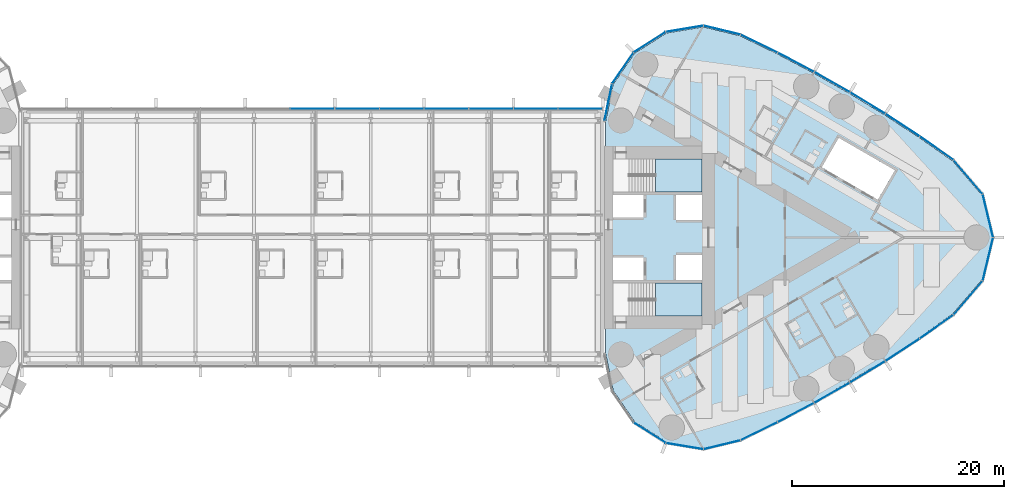
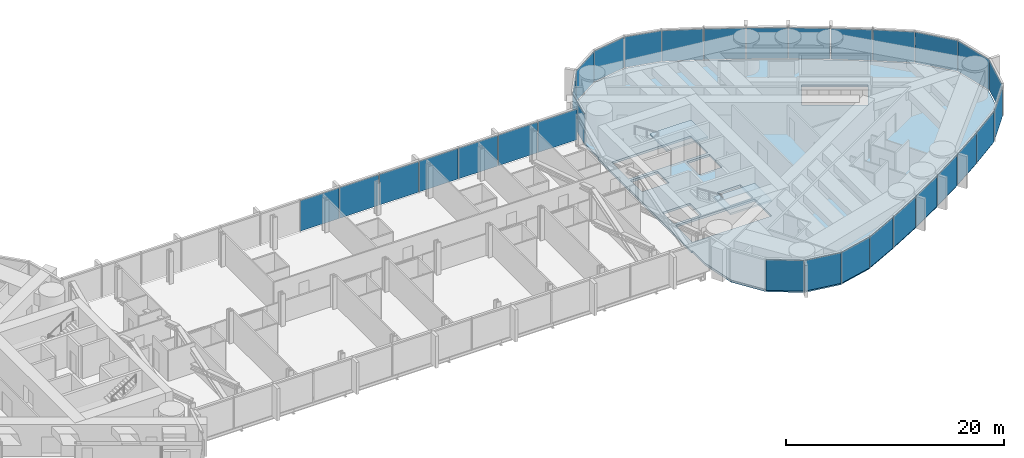
# One storey, part 14 of 24: 31 plates, 3 slabs, 4 elements without a shape of their own.
"""IFC4 building model written with IfcOpenShell, lengths in metres."""

from ifc_helpers import new_model, si_unit, direction, frame, origin, origin_2d, place, context, subcontext, project, spatial, polyline, rectangle, outline, extrude, material, layer, layer_set, type_object, element, aggregate, save


model = new_model("IFC4")

# Units and contexts
model_context = context("Model", 3, precision=1e-05, world=origin(), true_north=direction((0.0, 1.0)))
body_context = subcontext(model_context, "Body", "Model", "MODEL_VIEW")
ifc_project = project(units=[si_unit("LENGTHUNIT", "METRE"), si_unit("AREAUNIT", "SQUARE_METRE"), si_unit("VOLUMEUNIT", "CUBIC_METRE"), si_unit("PLANEANGLEUNIT", "RADIAN"), si_unit("MASSUNIT", "GRAM", prefix="KILO")], contexts=[model_context])

# Site, building, storey
site_placement = place(None, origin())
site = spatial("IfcSite", under=ifc_project, at=site_placement, CompositionType="ELEMENT")
building_placement = place(site_placement, origin())
building = spatial("IfcBuilding", under=site, at=building_placement, Name="Lancet Gate Hotel", CompositionType="ELEMENT")
storey_placement = place(building_placement, frame((0.0, 0.0, 244.10009765625)))
storey = spatial("IfcBuildingStorey", under=building, at=storey_placement, Name="L65", CompositionType="ELEMENT", Elevation=244.10009765625)

# Curtain wall, plates
ifc_material_1 = material(Name="Aluminium curtain wall", Category="aluminium")
curtain_wall_type_1 = type_object("IfcCurtainWallType", Name="Bridge block curtain wall", PredefinedType="USERDEFINED", material=ifc_material_1)
curtain_wall_1_placement = place(storey_placement, origin())
curtain_wall_1 = element("IfcCurtainWall", 1, at=curtain_wall_1_placement, inside=storey, type_object=curtain_wall_type_1, Name="Bridge block L65 curtain wall N", ObjectType="UNITISED CURTAIN WALL", PredefinedType="USERDEFINED")
ifc_material_2 = material(Name="Glass double glazed unit 8-16-6", Category="glass")
ifc_layer_1 = layer(ifc_material_2, 0.030029296875)
ifc_layer_set_1 = layer_set([ifc_layer_1], Name="Block vision panel")
plate_type_1 = type_object("IfcPlateType", Name="Block vision panel", PredefinedType="CURTAIN_PANEL", material=ifc_layer_set_1)
plate_1_placement = place(storey_placement, frame((25.24609375, 12.1201171875, 0.0), z_axis=(0.0, 0.0, 1.0), x_axis=(-1.0, 0.0, 0.0)))
plate_1 = element("IfcPlate", 2, at=plate_1_placement, type_object=plate_type_1, Name="Bridge block L65 curtain wall N panel 1", PredefinedType="CURTAIN_PANEL", context=body_context, shape_type="SweptSolid", body=[
    extrude(rectangle(XDim=4.142578125, YDim=0.030029296875, at=origin_2d()), origin(), (0.0, 0.0, 1.0), 3.449951171875),
])
plate_2_placement = place(storey_placement, frame((21.03857421875, 12.1201171875, 0.0), z_axis=(0.0, 0.0, 1.0), x_axis=(-1.0, 0.0, 0.0)))
plate_2 = element("IfcPlate", 3, at=plate_2_placement, type_object=plate_type_1, Name="Bridge block L65 curtain wall N panel 2", PredefinedType="CURTAIN_PANEL", context=body_context, shape_type="SweptSolid", body=[
    extrude(rectangle(XDim=4.142578125, YDim=0.030029296875, at=origin_2d()), origin(), (0.0, 0.0, 1.0), 3.449951171875),
])
plate_3_placement = place(storey_placement, frame((16.830810546875, 12.1201171875, 0.0), z_axis=(0.0, 0.0, 1.0), x_axis=(-1.0, 0.0, 0.0)))
plate_3 = element("IfcPlate", 4, at=plate_3_placement, type_object=plate_type_1, Name="Bridge block L65 curtain wall N panel 3", PredefinedType="CURTAIN_PANEL", context=body_context, shape_type="SweptSolid", body=[
    extrude(rectangle(XDim=4.142578125, YDim=0.030029296875, at=origin_2d()), origin(), (0.0, 0.0, 1.0), 3.449951171875),
])
plate_4_placement = place(storey_placement, frame((12.623046875, 12.1201171875, 0.0), z_axis=(0.0, 0.0, 1.0), x_axis=(-1.0, 0.0, 0.0)))
plate_4 = element("IfcPlate", 5, at=plate_4_placement, type_object=plate_type_1, Name="Bridge block L65 curtain wall N panel 4", PredefinedType="CURTAIN_PANEL", context=body_context, shape_type="SweptSolid", body=[
    extrude(rectangle(XDim=4.142578125, YDim=0.030029296875, at=origin_2d()), origin(), (0.0, 0.0, 1.0), 3.449951171875),
])
plate_5_placement = place(storey_placement, frame((8.415283203125, 12.1201171875, 0.0), z_axis=(0.0, 0.0, 1.0), x_axis=(-1.0, 0.0, 0.0)))
plate_5 = element("IfcPlate", 6, at=plate_5_placement, type_object=plate_type_1, Name="Bridge block L65 curtain wall N panel 5", PredefinedType="CURTAIN_PANEL", context=body_context, shape_type="SweptSolid", body=[
    extrude(rectangle(XDim=4.142578125, YDim=0.030029296875, at=origin_2d()), origin(), (0.0, 0.0, 1.0), 3.449951171875),
])
plate_6_placement = place(storey_placement, frame((4.207763671875, 12.1201171875, 0.0), z_axis=(0.0, 0.0, 1.0), x_axis=(-1.0, 0.0, 0.0)))
plate_6 = element("IfcPlate", 7, at=plate_6_placement, type_object=plate_type_1, Name="Bridge block L65 curtain wall N panel 6", PredefinedType="CURTAIN_PANEL", context=body_context, shape_type="SweptSolid", body=[
    extrude(rectangle(XDim=4.142578125, YDim=0.030029296875, at=origin_2d()), origin(), (0.0, 0.0, 1.0), 3.449951171875),
])
plate_7_placement = place(storey_placement, frame((0.0, 12.1201171875, 0.0), z_axis=(0.0, 0.0, 1.0), x_axis=(-1.0, 0.0, 0.0)))
plate_7 = element("IfcPlate", 8, at=plate_7_placement, type_object=plate_type_1, Name="Bridge block L65 curtain wall N panel 7", PredefinedType="CURTAIN_PANEL", context=body_context, shape_type="SweptSolid", body=[
    extrude(rectangle(XDim=4.142578125, YDim=0.030029296875, at=origin_2d()), origin(), (0.0, 0.0, 1.0), 3.449951171875),
])
aggregate(curtain_wall_1, [plate_1, plate_2, plate_3, plate_4, plate_5, plate_6, plate_7])

# Slab
ifc_material_3 = material(Name="Concrete C50/60", Category="concrete")
ifc_layer_2 = layer(ifc_material_3, 0.25)
ifc_layer_set_2 = layer_set([ifc_layer_2], Name="Floor slab 250")
slab_type_1 = type_object("IfcSlabType", Name="Floor slab 250", PredefinedType="FLOOR", material=ifc_layer_set_2)
slab_1_placement = place(storey_placement, frame((0.0, 0.0, -0.25)))
element("IfcSlab", 9, at=slab_1_placement, inside=storey, type_object=slab_type_1, Name="T2 L65 floor slab", PredefinedType="FLOOR", context=body_context, shape_type="SweptSolid", body=[
    extrude(outline(polyline([(27.5, -8.60009765625), (27.6201171875, -8.60009765625), (27.6201171875, -10.93603515625), (28.329345703125, -14.419677734375), (30.33740234375, -17.338134765625), (33.326904296875, -19.2392578125), (36.82177734375, -19.81982421875), (40.2763671875, -18.98486328125), (43.753662109375, -17.2890625), (47.18603515625, -15.47998046875), (50.5595703125, -13.56396484375), (53.87158203125, -11.54296875), (57.118408203125, -9.4189453125), (60.2861328125, -7.20166015625), (62.99658203125, -4.03759765625), (63.968017578125, 0.0), (62.99658203125, 4.03759765625), (60.2861328125, 7.20166015625), (57.118408203125, 9.4189453125), (53.87158203125, 11.54296875), (50.5595703125, 13.56396484375), (47.18603515625, 15.47998046875), (43.753662109375, 17.2890625), (40.2763671875, 18.98486328125), (36.82177734375, 19.81982421875), (33.326904296875, 19.2392578125), (30.33740234375, 17.338134765625), (28.329345703125, 14.419677734375), (27.6201171875, 10.93603515625), (27.6201171875, 8.60009765625), (27.5, 8.60009765625), (27.5, 8.199951171875), (27.5, -8.199951171875), (27.5, -8.60009765625)]), holes=[polyline([(36.699951171875, -7.39990234375), (36.699951171875, -4.300048828125), (28.300048828125, -4.300048828125), (28.300048828125, -7.39990234375), (36.699951171875, -7.39990234375)]), polyline([(28.300048828125, -4.0), (31.199951171875, -4.0), (31.199951171875, -1.89990234375), (28.300048828125, -1.89990234375), (28.300048828125, -4.0)]), polyline([(34.25, -4.0), (36.699951171875, -4.0), (36.699951171875, -1.64990234375), (34.25, -1.64990234375), (34.25, -4.0)]), polyline([(36.699951171875, 1.64990234375), (36.699951171875, 4.0), (34.25, 4.0), (34.25, 1.64990234375), (36.699951171875, 1.64990234375)]), polyline([(28.300048828125, 1.89990234375), (31.199951171875, 1.89990234375), (31.199951171875, 4.0), (28.300048828125, 4.0), (28.300048828125, 1.89990234375)]), polyline([(28.300048828125, 4.300048828125), (36.699951171875, 4.300048828125), (36.699951171875, 7.39990234375), (28.300048828125, 7.39990234375), (28.300048828125, 4.300048828125)]), polyline([(53.242919921875, 3.555908203125), (54.843017578125, 6.326904296875), (49.56103515625, 9.376953125), (47.9609375, 6.60595703125), (53.242919921875, 3.555908203125)])]), origin(), (0.0, 0.0, 1.0), 0.25),
])

# Stair, slab
ifc_material_4 = material(Name="Exit stair 20 risers 1500")
stair_type = type_object("IfcStairType", Name="Exit stair 20 risers 1500", PredefinedType="HALF_TURN_STAIR", material=ifc_material_4)
stair_1_placement = place(storey_placement, origin())
stair_1 = element("IfcStair", 10, at=stair_1_placement, inside=storey, type_object=stair_type, Name="T2 stair 1 L65", PredefinedType="HALF_TURN_STAIR")
ifc_material_5 = material(Name="Concrete C40/50", Category="concrete")
ifc_layer_3 = layer(ifc_material_5, 0.199951171875)
ifc_layer_set_3 = layer_set([ifc_layer_3], Name="Stair landing 200")
slab_type_2 = type_object("IfcSlabType", Name="Stair landing 200", PredefinedType="LANDING", material=ifc_layer_set_3)
slab_2_placement = place(storey_placement, frame((0.0, 0.0, 1.599853515625)))
slab_2 = element("IfcSlab", 11, at=slab_2_placement, type_object=slab_type_2, Name="ST3 landing 2", PredefinedType="LANDING", context=body_context, shape_type="SweptSolid", body=[
    extrude(outline(polyline([(32.320068359375, -7.39990234375), (36.699951171875, -7.39990234375), (36.699951171875, -4.300048828125), (32.320068359375, -4.300048828125), (32.320068359375, -7.39990234375)])), origin(), (0.0, 0.0, 1.0), 0.199951171875),
])
aggregate(stair_1, [slab_2])

stair_2_placement = place(storey_placement, origin())
stair_2 = element("IfcStair", 12, at=stair_2_placement, inside=storey, type_object=stair_type, Name="T2 stair 2 L65", PredefinedType="HALF_TURN_STAIR")
slab_3_placement = place(storey_placement, frame((0.0, 0.0, 1.599853515625)))
slab_3 = element("IfcSlab", 13, at=slab_3_placement, type_object=slab_type_2, Name="ST4 landing 2", PredefinedType="LANDING", context=body_context, shape_type="SweptSolid", body=[
    extrude(outline(polyline([(32.320068359375, 4.300048828125), (36.699951171875, 4.300048828125), (36.699951171875, 7.39990234375), (32.320068359375, 7.39990234375), (32.320068359375, 4.300048828125)])), origin(), (0.0, 0.0, 1.0), 0.199951171875),
])
aggregate(stair_2, [slab_3])

# Curtain wall, plates
ifc_material_6 = material(Name="Aluminium curtain wall", Category="aluminium")
curtain_wall_type_2 = type_object("IfcCurtainWallType", Name="Tower unitised curtain wall", PredefinedType="USERDEFINED", material=ifc_material_6)
curtain_wall_2_placement = place(storey_placement, origin())
curtain_wall_2 = element("IfcCurtainWall", 14, at=curtain_wall_2_placement, inside=storey, type_object=curtain_wall_type_2, Name="T2 L65 curtain wall 1", ObjectType="UNITISED CURTAIN WALL", PredefinedType="USERDEFINED")
ifc_material_7 = material(Name="Glass double glazed unit 8-16-6", Category="glass")
ifc_layer_4 = layer(ifc_material_7, 0.030029296875)
ifc_layer_set_4 = layer_set([ifc_layer_4], Name="Vision panel double glazed")
plate_type_2 = type_object("IfcPlateType", Name="Vision panel double glazed", PredefinedType="CURTAIN_PANEL", material=ifc_layer_set_4)
plate_8_placement = place(storey_placement, frame((31.767822265625, -18.389892578125, 0.0), z_axis=(0.0, 0.0, 1.0), x_axis=(0.843845020422, -0.536586974785, 0.0)))
plate_8 = element("IfcPlate", 15, at=plate_8_placement, type_object=plate_type_2, Name="T2 L65 curtain wall 1 panel 3", PredefinedType="CURTAIN_PANEL", context=body_context, shape_type="SweptSolid", body=[
    extrude(rectangle(XDim=3.526611328125, YDim=0.030029296875, at=origin_2d()), origin(), (0.0, 0.0, 1.0), 3.449951171875),
])
plate_9_placement = place(storey_placement, frame((35.0546875, -19.64794921875, 0.0), z_axis=(0.0, 0.0, 1.0), x_axis=(0.986480101775, -0.163881081283, 0.0)))
plate_9 = element("IfcPlate", 16, at=plate_9_placement, type_object=plate_type_2, Name="T2 L65 curtain wall 1 panel 4", PredefinedType="CURTAIN_PANEL", context=body_context, shape_type="SweptSolid", body=[
    extrude(rectangle(XDim=3.526611328125, YDim=0.030029296875, at=origin_2d()), origin(), (0.0, 0.0, 1.0), 3.449951171875),
])
plate_10_placement = place(storey_placement, frame((38.57177734375, -19.520263671875, 0.0), z_axis=(0.0, 0.0, 1.0), x_axis=(0.972013837597, 0.234923603582, 0.0)))
plate_10 = element("IfcPlate", 17, at=plate_10_placement, type_object=plate_type_2, Name="T2 L65 curtain wall 1 panel 5", PredefinedType="CURTAIN_PANEL", context=body_context, shape_type="SweptSolid", body=[
    extrude(rectangle(XDim=3.526611328125, YDim=0.030029296875, at=origin_2d()), origin(), (0.0, 0.0, 1.0), 3.449951171875),
])
plate_11_placement = place(storey_placement, frame((42.062744140625, -18.247314453125, 0.0), z_axis=(0.0, 0.0, 1.0), x_axis=(0.898823462202, 0.438310830114, 0.0)))
plate_11 = element("IfcPlate", 18, at=plate_11_placement, type_object=plate_type_2, Name="T2 L65 curtain wall 1 panel 6", PredefinedType="CURTAIN_PANEL", context=body_context, shape_type="SweptSolid", body=[
    extrude(rectangle(XDim=3.818603515625, YDim=0.030029296875, at=origin_2d()), origin(), (0.0, 0.0, 1.0), 3.449951171875),
])
plate_12_placement = place(storey_placement, frame((45.52587890625, -16.49072265625, 0.0), z_axis=(0.0, 0.0, 1.0), x_axis=(0.884622760861, 0.466307378204, 0.0)))
plate_12 = element("IfcPlate", 19, at=plate_12_placement, type_object=plate_type_2, Name="T2 L65 curtain wall 1 panel 7", PredefinedType="CURTAIN_PANEL", context=body_context, shape_type="SweptSolid", body=[
    extrude(rectangle(XDim=3.818603515625, YDim=0.030029296875, at=origin_2d()), origin(), (0.0, 0.0, 1.0), 3.449951171875),
])
plate_13_placement = place(storey_placement, frame((48.93212890625, -14.626220703125, 0.0), z_axis=(0.0, 0.0, 1.0), x_axis=(0.869550293306, 0.493844395951, 0.0)))
plate_13 = element("IfcPlate", 20, at=plate_13_placement, type_object=plate_type_2, Name="T2 L65 curtain wall 1 panel 8", PredefinedType="CURTAIN_PANEL", context=body_context, shape_type="SweptSolid", body=[
    extrude(rectangle(XDim=3.818603515625, YDim=0.030029296875, at=origin_2d()), origin(), (0.0, 0.0, 1.0), 3.449951171875),
])
plate_14_placement = place(storey_placement, frame((52.278076171875, -12.65576171875, 0.0), z_axis=(0.0, 0.0, 1.0), x_axis=(0.853620912967, 0.520894746513, 0.0)))
plate_14 = element("IfcPlate", 21, at=plate_14_placement, type_object=plate_type_2, Name="T2 L65 curtain wall 1 panel 9", PredefinedType="CURTAIN_PANEL", context=body_context, shape_type="SweptSolid", body=[
    extrude(rectangle(XDim=3.818603515625, YDim=0.030029296875, at=origin_2d()), origin(), (0.0, 0.0, 1.0), 3.449951171875),
])
plate_15_placement = place(storey_placement, frame((55.560791015625, -10.581298828125, 0.0), z_axis=(0.0, 0.0, 1.0), x_axis=(0.83685031771, 0.547431772688, 0.0)))
plate_15 = element("IfcPlate", 22, at=plate_15_placement, type_object=plate_type_2, Name="T2 L65 curtain wall 1 panel 10", PredefinedType="CURTAIN_PANEL", context=body_context, shape_type="SweptSolid", body=[
    extrude(rectangle(XDim=3.818603515625, YDim=0.030029296875, at=origin_2d()), origin(), (0.0, 0.0, 1.0), 3.449951171875),
])
plate_16_placement = place(storey_placement, frame((58.776611328125, -8.40478515625, 0.0), z_axis=(0.0, 0.0, 1.0), x_axis=(0.819255034386, 0.573429323137, 0.0)))
plate_16 = element("IfcPlate", 23, at=plate_16_placement, type_object=plate_type_2, Name="T2 L65 curtain wall 1 panel 11", PredefinedType="CURTAIN_PANEL", context=body_context, shape_type="SweptSolid", body=[
    extrude(rectangle(XDim=3.818603515625, YDim=0.030029296875, at=origin_2d()), origin(), (0.0, 0.0, 1.0), 3.449951171875),
])
plate_17_placement = place(storey_placement, frame((61.737060546875, -5.692626953125, 0.0), z_axis=(0.0, 0.0, 1.0), x_axis=(0.650551562434, 0.759462088991, 0.0)))
plate_17 = element("IfcPlate", 24, at=plate_17_placement, type_object=plate_type_2, Name="T2 L65 curtain wall 1 panel 12", PredefinedType="CURTAIN_PANEL", context=body_context, shape_type="SweptSolid", body=[
    extrude(rectangle(XDim=4.1455078125, YDim=0.030029296875, at=origin_2d()), origin(), (0.0, 0.0, 1.0), 3.449951171875),
])
plate_18_placement = place(storey_placement, frame((63.598876953125, -2.046875, 0.0), z_axis=(0.0, 0.0, 1.0), x_axis=(0.233916001796, 0.972256809749, 0.0)))
plate_18 = element("IfcPlate", 25, at=plate_18_placement, type_object=plate_type_2, Name="T2 L65 curtain wall 1 panel 13", PredefinedType="CURTAIN_PANEL", context=body_context, shape_type="SweptSolid", body=[
    extrude(rectangle(XDim=4.1455078125, YDim=0.030029296875, at=origin_2d()), origin(), (0.0, 0.0, 1.0), 3.449951171875),
])
plate_19_placement = place(storey_placement, frame((63.598876953125, 2.046875, 0.0), z_axis=(0.0, 0.0, 1.0), x_axis=(-0.233916001796, 0.972256809749, 0.0)))
plate_19 = element("IfcPlate", 26, at=plate_19_placement, type_object=plate_type_2, Name="T2 L65 curtain wall 1 panel 14", PredefinedType="CURTAIN_PANEL", context=body_context, shape_type="SweptSolid", body=[
    extrude(rectangle(XDim=4.1455078125, YDim=0.030029296875, at=origin_2d()), origin(), (0.0, 0.0, 1.0), 3.449951171875),
])
plate_20_placement = place(storey_placement, frame((61.737060546875, 5.692626953125, 0.0), z_axis=(0.0, 0.0, 1.0), x_axis=(-0.650551562434, 0.759462088991, 0.0)))
plate_20 = element("IfcPlate", 27, at=plate_20_placement, type_object=plate_type_2, Name="T2 L65 curtain wall 1 panel 15", PredefinedType="CURTAIN_PANEL", context=body_context, shape_type="SweptSolid", body=[
    extrude(rectangle(XDim=4.1455078125, YDim=0.030029296875, at=origin_2d()), origin(), (0.0, 0.0, 1.0), 3.449951171875),
])
plate_21_placement = place(storey_placement, frame((58.776611328125, 8.40478515625, 0.0), z_axis=(0.0, 0.0, 1.0), x_axis=(-0.819255034386, 0.573429323137, 0.0)))
plate_21 = element("IfcPlate", 28, at=plate_21_placement, type_object=plate_type_2, Name="T2 L65 curtain wall 1 panel 16", PredefinedType="CURTAIN_PANEL", context=body_context, shape_type="SweptSolid", body=[
    extrude(rectangle(XDim=3.818603515625, YDim=0.030029296875, at=origin_2d()), origin(), (0.0, 0.0, 1.0), 3.449951171875),
])
plate_22_placement = place(storey_placement, frame((55.560791015625, 10.581298828125, 0.0), z_axis=(0.0, 0.0, 1.0), x_axis=(-0.83685031771, 0.547431772688, 0.0)))
plate_22 = element("IfcPlate", 29, at=plate_22_placement, type_object=plate_type_2, Name="T2 L65 curtain wall 1 panel 17", PredefinedType="CURTAIN_PANEL", context=body_context, shape_type="SweptSolid", body=[
    extrude(rectangle(XDim=3.818603515625, YDim=0.030029296875, at=origin_2d()), origin(), (0.0, 0.0, 1.0), 3.449951171875),
])
plate_23_placement = place(storey_placement, frame((52.278076171875, 12.65576171875, 0.0), z_axis=(0.0, 0.0, 1.0), x_axis=(-0.853620912967, 0.520894746513, 0.0)))
plate_23 = element("IfcPlate", 30, at=plate_23_placement, type_object=plate_type_2, Name="T2 L65 curtain wall 1 panel 18", PredefinedType="CURTAIN_PANEL", context=body_context, shape_type="SweptSolid", body=[
    extrude(rectangle(XDim=3.818603515625, YDim=0.030029296875, at=origin_2d()), origin(), (0.0, 0.0, 1.0), 3.449951171875),
])
plate_24_placement = place(storey_placement, frame((48.93212890625, 14.626220703125, 0.0), z_axis=(0.0, 0.0, 1.0), x_axis=(-0.869550293306, 0.493844395951, 0.0)))
plate_24 = element("IfcPlate", 31, at=plate_24_placement, type_object=plate_type_2, Name="T2 L65 curtain wall 1 panel 19", PredefinedType="CURTAIN_PANEL", context=body_context, shape_type="SweptSolid", body=[
    extrude(rectangle(XDim=3.818603515625, YDim=0.030029296875, at=origin_2d()), origin(), (0.0, 0.0, 1.0), 3.449951171875),
])
plate_25_placement = place(storey_placement, frame((45.52587890625, 16.49072265625, 0.0), z_axis=(0.0, 0.0, 1.0), x_axis=(-0.884622760861, 0.466307378204, 0.0)))
plate_25 = element("IfcPlate", 32, at=plate_25_placement, type_object=plate_type_2, Name="T2 L65 curtain wall 1 panel 20", PredefinedType="CURTAIN_PANEL", context=body_context, shape_type="SweptSolid", body=[
    extrude(rectangle(XDim=3.818603515625, YDim=0.030029296875, at=origin_2d()), origin(), (0.0, 0.0, 1.0), 3.449951171875),
])
plate_26_placement = place(storey_placement, frame((42.062744140625, 18.247314453125, 0.0), z_axis=(0.0, 0.0, 1.0), x_axis=(-0.898823462202, 0.438310830114, 0.0)))
plate_26 = element("IfcPlate", 33, at=plate_26_placement, type_object=plate_type_2, Name="T2 L65 curtain wall 1 panel 21", PredefinedType="CURTAIN_PANEL", context=body_context, shape_type="SweptSolid", body=[
    extrude(rectangle(XDim=3.818603515625, YDim=0.030029296875, at=origin_2d()), origin(), (0.0, 0.0, 1.0), 3.449951171875),
])
plate_27_placement = place(storey_placement, frame((38.57177734375, 19.520263671875, 0.0), z_axis=(0.0, 0.0, 1.0), x_axis=(-0.972013837597, 0.234923603582, 0.0)))
plate_27 = element("IfcPlate", 34, at=plate_27_placement, type_object=plate_type_2, Name="T2 L65 curtain wall 1 panel 22", PredefinedType="CURTAIN_PANEL", context=body_context, shape_type="SweptSolid", body=[
    extrude(rectangle(XDim=3.526611328125, YDim=0.030029296875, at=origin_2d()), origin(), (0.0, 0.0, 1.0), 3.449951171875),
])
plate_28_placement = place(storey_placement, frame((35.0546875, 19.64794921875, 0.0), z_axis=(0.0, 0.0, 1.0), x_axis=(-0.986480101775, -0.163881081283, 0.0)))
plate_28 = element("IfcPlate", 35, at=plate_28_placement, type_object=plate_type_2, Name="T2 L65 curtain wall 1 panel 23", PredefinedType="CURTAIN_PANEL", context=body_context, shape_type="SweptSolid", body=[
    extrude(rectangle(XDim=3.526611328125, YDim=0.030029296875, at=origin_2d()), origin(), (0.0, 0.0, 1.0), 3.449951171875),
])
plate_29_placement = place(storey_placement, frame((31.767822265625, 18.389892578125, 0.0), z_axis=(0.0, 0.0, 1.0), x_axis=(-0.843845020422, -0.536586974785, 0.0)))
plate_29 = element("IfcPlate", 36, at=plate_29_placement, type_object=plate_type_2, Name="T2 L65 curtain wall 1 panel 24", PredefinedType="CURTAIN_PANEL", context=body_context, shape_type="SweptSolid", body=[
    extrude(rectangle(XDim=3.526611328125, YDim=0.030029296875, at=origin_2d()), origin(), (0.0, 0.0, 1.0), 3.449951171875),
])
plate_30_placement = place(storey_placement, frame((29.234619140625, 15.947021484375, 0.0), z_axis=(0.0, 0.0, 1.0), x_axis=(-0.566823864908, -0.823839005007, 0.0)))
plate_30 = element("IfcPlate", 37, at=plate_30_placement, type_object=plate_type_2, Name="T2 L65 curtain wall 1 panel 25", PredefinedType="CURTAIN_PANEL", context=body_context, shape_type="SweptSolid", body=[
    extrude(rectangle(XDim=3.526611328125, YDim=0.030029296875, at=origin_2d()), origin(), (0.0, 0.0, 1.0), 3.449951171875),
])
plate_31_placement = place(storey_placement, frame((27.8583984375, 12.707763671875, 0.0), z_axis=(0.0, 0.0, 1.0), x_axis=(-0.199533486841, -0.979891008036, 0.0)))
plate_31 = element("IfcPlate", 38, at=plate_31_placement, type_object=plate_type_2, Name="T2 L65 curtain wall 1 panel 26", PredefinedType="CURTAIN_PANEL", context=body_context, shape_type="SweptSolid", body=[
    extrude(rectangle(XDim=3.526611328125, YDim=0.030029296875, at=origin_2d()), origin(), (0.0, 0.0, 1.0), 3.449951171875),
])
aggregate(curtain_wall_2, [plate_8, plate_9, plate_10, plate_11, plate_12, plate_13, plate_14, plate_15, plate_16, plate_17, plate_18, plate_19, plate_20, plate_21, plate_22, plate_23, plate_24, plate_25, plate_26, plate_27, plate_28, plate_29, plate_30, plate_31])

save(model, "model.ifc")
